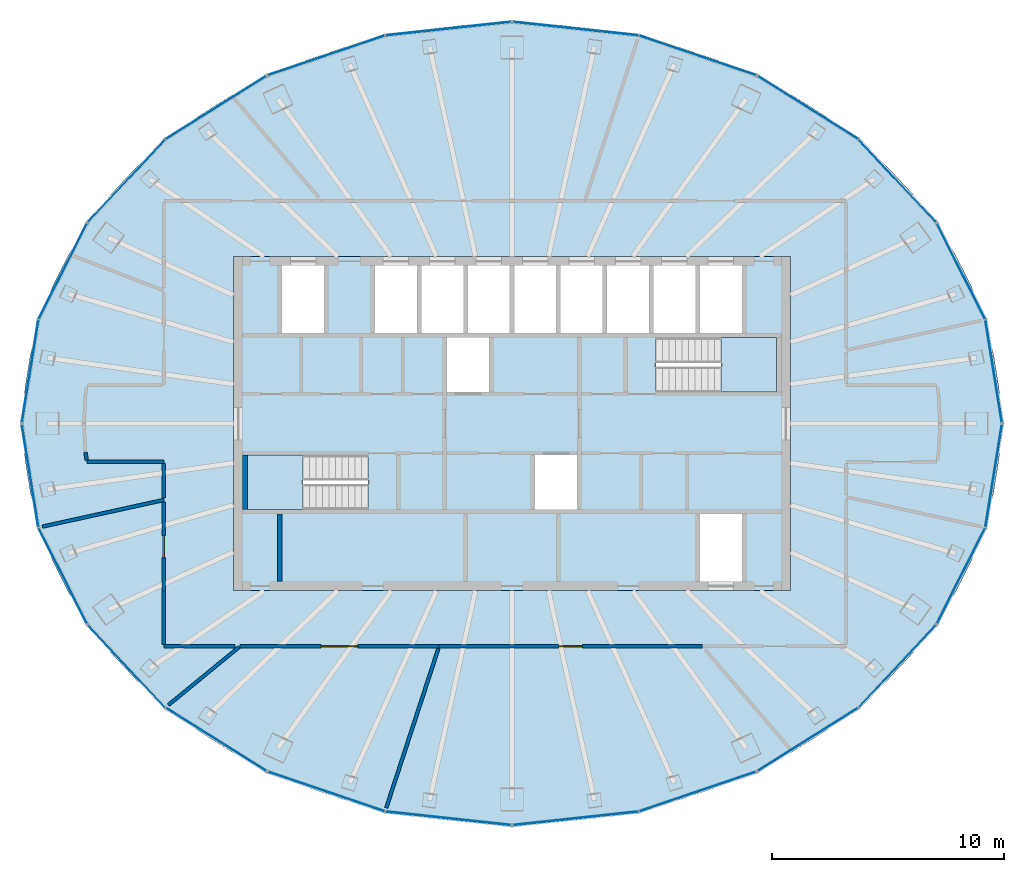
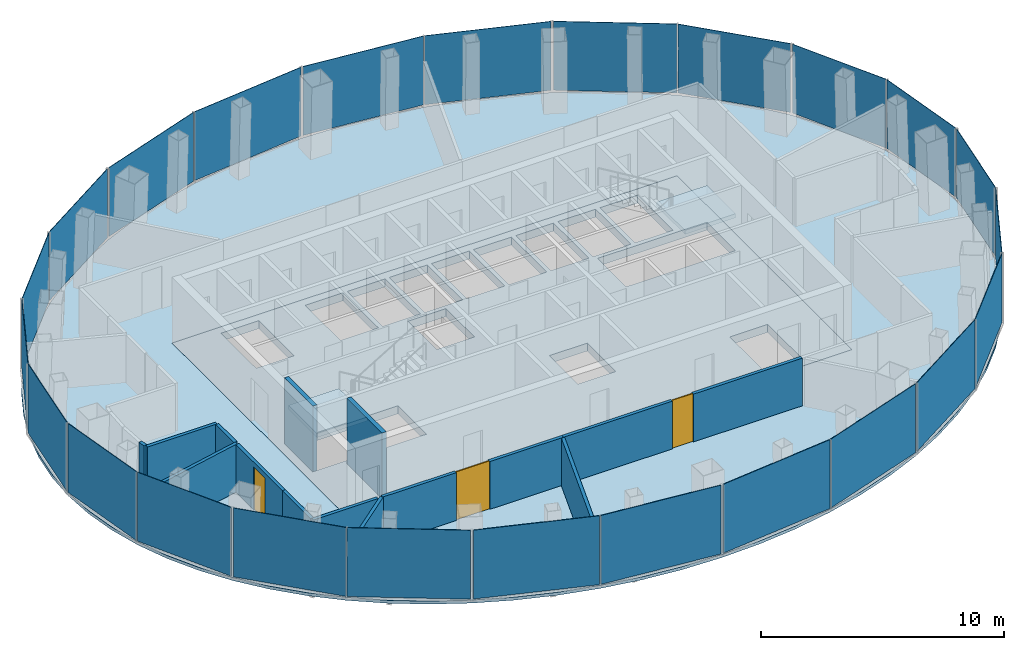
# One storey, part 7 of 11: 24 plates, 13 walls, 4 slabs, 3 doors, 3 openings, 14 elements without a shape of their own.
"""IFC4 building model written with IfcOpenShell, lengths in metres."""

from ifc_helpers import new_model, si_unit, direction, frame, frame_2d, origin, origin_2d, place, context, subcontext, project, spatial, polyline, rectangle, outline, extrude, material, layer, layer_set, type_object, element, fill, aggregate, save


model = new_model("IFC4")

# Units and contexts
model_context = context("Model", 3, precision=1e-05, world=origin(), true_north=direction((0.0, 1.0)))
body_context = subcontext(model_context, "Body", "Model", "MODEL_VIEW")
ifc_project = project(units=[si_unit("LENGTHUNIT", "METRE"), si_unit("AREAUNIT", "SQUARE_METRE"), si_unit("VOLUMEUNIT", "CUBIC_METRE"), si_unit("PLANEANGLEUNIT", "RADIAN"), si_unit("MASSUNIT", "GRAM", prefix="KILO")], contexts=[model_context])

# Site, building, storey
site_placement = place(None, origin())
site = spatial("IfcSite", under=ifc_project, at=site_placement, CompositionType="ELEMENT")
building_placement = place(site_placement, origin())
building = spatial("IfcBuilding", under=site, at=building_placement, Name="Siaravel Broadcast Tower", CompositionType="ELEMENT")
storey_placement = place(building_placement, frame((0.0, 0.0, 243.0)))
storey = spatial("IfcBuildingStorey", under=building, at=storey_placement, Name="L59", CompositionType="ELEMENT", Elevation=243.0)

# Curtain wall, plates
ifc_material_1 = material(Name="Aluminium 6063-T6", Category="aluminium")
ifc_layer_1 = layer(ifc_material_1, 0.159912109375)
ifc_layer_set_1 = layer_set([ifc_layer_1], Name="Aluminium 6063-T6")
curtain_wall_type = type_object("IfcCurtainWallType", Name="Unitised curtain wall, zone 4", PredefinedType="NOTDEFINED", material=ifc_layer_set_1)
curtain_wall_1_placement = place(storey_placement, origin())
curtain_wall_1 = element("IfcCurtainWall", 1, at=curtain_wall_1_placement, inside=storey, type_object=curtain_wall_type, Name="L59 Unitised curtain wall, zone 4 01", PredefinedType="NOTDEFINED")
ifc_material_2 = material(Name="Tinted insulated glass", Category="glass")
ifc_layer_2 = layer(ifc_material_2, 0.02587890625)
ifc_layer_set_2 = layer_set([ifc_layer_2], Name="Tinted insulated glass")
plate_type = type_object("IfcPlateType", Name="CW-Z4 glass panel", PredefinedType="CURTAIN_PANEL", material=ifc_layer_set_2)
plate_1_placement = place(storey_placement, frame((20.75537109375, 2.254638671875, 0.090087890625), z_axis=(0.0, 0.0, 1.0), x_axis=(-0.158684735, 0.987329304, 0.0)))
plate_1 = element("IfcPlate", 2, at=plate_1_placement, type_object=plate_type, Name="CW-Z4 glass panel", PredefinedType="CURTAIN_PANEL", context=body_context, shape_type="SweptSolid", body=[
    extrude(rectangle(XDim=4.45703125, YDim=0.02587890625, at=origin_2d()), origin(), (0.0, 0.0, 1.0), 3.4599609375),
])
plate_2_placement = place(storey_placement, frame((19.347900390625, 6.557373046875, 0.090087890625), z_axis=(0.0, 0.0, 1.0), x_axis=(-0.451259268, 0.892392891, 0.0)))
plate_2 = element("IfcPlate", 3, at=plate_2_placement, type_object=plate_type, Name="CW-Z4 glass panel", PredefinedType="CURTAIN_PANEL", context=body_context, shape_type="SweptSolid", body=[
    extrude(rectangle(XDim=4.59619140625, YDim=0.02587890625, at=origin_2d()), origin(), (0.0, 0.0, 1.0), 3.4599609375),
])
aggregate(curtain_wall_1, [plate_1, plate_2])

curtain_wall_2_placement = place(storey_placement, origin())
curtain_wall_2 = element("IfcCurtainWall", 4, at=curtain_wall_2_placement, inside=storey, type_object=curtain_wall_type, Name="L59 Unitised curtain wall, zone 4 02", PredefinedType="NOTDEFINED")
plate_3_placement = place(storey_placement, frame((16.59814453125, 10.459228515625, 0.090087890625), z_axis=(0.0, 0.0, 1.0), x_axis=(-0.683653738, 0.729806527, 0.0)))
plate_3 = element("IfcPlate", 5, at=plate_3_placement, type_object=plate_type, Name="CW-Z4 glass panel", PredefinedType="CURTAIN_PANEL", context=body_context, shape_type="SweptSolid", body=[
    extrude(rectangle(XDim=4.828125, YDim=0.02587890625, at=origin_2d()), origin(), (0.0, 0.0, 1.0), 3.4599609375),
])
plate_4_placement = place(storey_placement, frame((12.753662109375, 13.6083984375, 0.090087890625), z_axis=(0.0, 0.0, 1.0), x_axis=(-0.846649801, 0.532150463, 0.0)))
plate_4 = element("IfcPlate", 6, at=plate_4_placement, type_object=plate_type, Name="CW-Z4 glass panel", PredefinedType="CURTAIN_PANEL", context=body_context, shape_type="SweptSolid", body=[
    extrude(rectangle(XDim=5.083251953125, YDim=0.02587890625, at=origin_2d()), origin(), (0.0, 0.0, 1.0), 3.4599609375),
])
aggregate(curtain_wall_2, [plate_3, plate_4])

curtain_wall_3_placement = place(storey_placement, origin())
curtain_wall_3 = element("IfcCurtainWall", 7, at=curtain_wall_3_placement, inside=storey, type_object=curtain_wall_type, Name="L59 Unitised curtain wall, zone 4 03", PredefinedType="NOTDEFINED")
plate_5_placement = place(storey_placement, frame((7.996337890625, 15.8583984375, 0.090087890625), z_axis=(0.0, 0.0, 1.0), x_axis=(-0.946976963, 0.321301466, 0.0)))
plate_5 = element("IfcPlate", 8, at=plate_5_placement, type_object=plate_type, Name="CW-Z4 glass panel", PredefinedType="CURTAIN_PANEL", context=body_context, shape_type="SweptSolid", body=[
    extrude(rectangle(XDim=5.29443359375, YDim=0.02587890625, at=origin_2d()), origin(), (0.0, 0.0, 1.0), 3.4599609375),
])
plate_6_placement = place(storey_placement, frame((2.745361328125, 17.0107421875, 0.090087890625), z_axis=(0.0, 0.0, 1.0), x_axis=(-0.994235559, 0.107217782, 0.0)))
plate_6 = element("IfcPlate", 9, at=plate_6_placement, type_object=plate_type, Name="CW-Z4 glass panel", PredefinedType="CURTAIN_PANEL", context=body_context, shape_type="SweptSolid", body=[
    extrude(rectangle(XDim=5.41259765625, YDim=0.02587890625, at=origin_2d()), origin(), (0.0, 0.0, 1.0), 3.4599609375),
])
aggregate(curtain_wall_3, [plate_5, plate_6])

curtain_wall_4_placement = place(storey_placement, origin())
curtain_wall_4 = element("IfcCurtainWall", 10, at=curtain_wall_4_placement, inside=storey, type_object=curtain_wall_type, Name="L59 Unitised curtain wall, zone 4 04", PredefinedType="NOTDEFINED")
plate_7_placement = place(storey_placement, frame((-2.745361328125, 17.0107421875, 0.090087890625), z_axis=(0.0, 0.0, 1.0), x_axis=(-0.994235559, -0.107217782, 0.0)))
plate_7 = element("IfcPlate", 11, at=plate_7_placement, type_object=plate_type, Name="CW-Z4 glass panel", PredefinedType="CURTAIN_PANEL", context=body_context, shape_type="SweptSolid", body=[
    extrude(rectangle(XDim=5.41259765625, YDim=0.02587890625, at=origin_2d()), origin(), (0.0, 0.0, 1.0), 3.4599609375),
])
plate_8_placement = place(storey_placement, frame((-7.996337890625, 15.8583984375, 0.090087890625), z_axis=(0.0, 0.0, 1.0), x_axis=(-0.946976963, -0.321301466, 0.0)))
plate_8 = element("IfcPlate", 12, at=plate_8_placement, type_object=plate_type, Name="CW-Z4 glass panel", PredefinedType="CURTAIN_PANEL", context=body_context, shape_type="SweptSolid", body=[
    extrude(rectangle(XDim=5.29443359375, YDim=0.02587890625, at=origin_2d()), origin(), (0.0, 0.0, 1.0), 3.4599609375),
])
aggregate(curtain_wall_4, [plate_7, plate_8])

curtain_wall_5_placement = place(storey_placement, origin())
curtain_wall_5 = element("IfcCurtainWall", 13, at=curtain_wall_5_placement, inside=storey, type_object=curtain_wall_type, Name="L59 Unitised curtain wall, zone 4 05", PredefinedType="NOTDEFINED")
plate_9_placement = place(storey_placement, frame((-12.753662109375, 13.6083984375, 0.090087890625), z_axis=(0.0, 0.0, 1.0), x_axis=(-0.846649801, -0.532150463, 0.0)))
plate_9 = element("IfcPlate", 14, at=plate_9_placement, type_object=plate_type, Name="CW-Z4 glass panel", PredefinedType="CURTAIN_PANEL", context=body_context, shape_type="SweptSolid", body=[
    extrude(rectangle(XDim=5.083251953125, YDim=0.02587890625, at=origin_2d()), origin(), (0.0, 0.0, 1.0), 3.4599609375),
])
plate_10_placement = place(storey_placement, frame((-16.59814453125, 10.459228515625, 0.090087890625), z_axis=(0.0, 0.0, 1.0), x_axis=(-0.683653738, -0.729806527, 0.0)))
plate_10 = element("IfcPlate", 15, at=plate_10_placement, type_object=plate_type, Name="CW-Z4 glass panel", PredefinedType="CURTAIN_PANEL", context=body_context, shape_type="SweptSolid", body=[
    extrude(rectangle(XDim=4.828125, YDim=0.02587890625, at=origin_2d()), origin(), (0.0, 0.0, 1.0), 3.4599609375),
])
aggregate(curtain_wall_5, [plate_9, plate_10])

curtain_wall_6_placement = place(storey_placement, origin())
curtain_wall_6 = element("IfcCurtainWall", 16, at=curtain_wall_6_placement, inside=storey, type_object=curtain_wall_type, Name="L59 Unitised curtain wall, zone 4 06", PredefinedType="NOTDEFINED")
plate_11_placement = place(storey_placement, frame((-19.347900390625, 6.557373046875, 0.090087890625), z_axis=(0.0, 0.0, 1.0), x_axis=(-0.451259268, -0.892392891, 0.0)))
plate_11 = element("IfcPlate", 17, at=plate_11_placement, type_object=plate_type, Name="CW-Z4 glass panel", PredefinedType="CURTAIN_PANEL", context=body_context, shape_type="SweptSolid", body=[
    extrude(rectangle(XDim=4.59619140625, YDim=0.02587890625, at=origin_2d()), origin(), (0.0, 0.0, 1.0), 3.4599609375),
])
plate_12_placement = place(storey_placement, frame((-20.75537109375, 2.254638671875, 0.090087890625), z_axis=(0.0, 0.0, 1.0), x_axis=(-0.158684735, -0.987329304, 0.0)))
plate_12 = element("IfcPlate", 18, at=plate_12_placement, type_object=plate_type, Name="CW-Z4 glass panel", PredefinedType="CURTAIN_PANEL", context=body_context, shape_type="SweptSolid", body=[
    extrude(rectangle(XDim=4.45703125, YDim=0.02587890625, at=origin_2d()), origin(), (0.0, 0.0, 1.0), 3.4599609375),
])
aggregate(curtain_wall_6, [plate_11, plate_12])

curtain_wall_7_placement = place(storey_placement, origin())
curtain_wall_7 = element("IfcCurtainWall", 19, at=curtain_wall_7_placement, inside=storey, type_object=curtain_wall_type, Name="L59 Unitised curtain wall, zone 4 07", PredefinedType="NOTDEFINED")
plate_13_placement = place(storey_placement, frame((-20.75537109375, -2.254638671875, 0.090087890625), z_axis=(0.0, 0.0, 1.0), x_axis=(0.158684735, -0.987329304, 0.0)))
plate_13 = element("IfcPlate", 20, at=plate_13_placement, type_object=plate_type, Name="CW-Z4 glass panel", PredefinedType="CURTAIN_PANEL", context=body_context, shape_type="SweptSolid", body=[
    extrude(rectangle(XDim=4.45703125, YDim=0.02587890625, at=origin_2d()), origin(), (0.0, 0.0, 1.0), 3.4599609375),
])
plate_14_placement = place(storey_placement, frame((-19.347900390625, -6.557373046875, 0.090087890625), z_axis=(0.0, 0.0, 1.0), x_axis=(0.451259268, -0.892392891, 0.0)))
plate_14 = element("IfcPlate", 21, at=plate_14_placement, type_object=plate_type, Name="CW-Z4 glass panel", PredefinedType="CURTAIN_PANEL", context=body_context, shape_type="SweptSolid", body=[
    extrude(rectangle(XDim=4.59619140625, YDim=0.02587890625, at=origin_2d()), origin(), (0.0, 0.0, 1.0), 3.4599609375),
])
aggregate(curtain_wall_7, [plate_13, plate_14])

curtain_wall_8_placement = place(storey_placement, origin())
curtain_wall_8 = element("IfcCurtainWall", 22, at=curtain_wall_8_placement, inside=storey, type_object=curtain_wall_type, Name="L59 Unitised curtain wall, zone 4 08", PredefinedType="NOTDEFINED")
plate_15_placement = place(storey_placement, frame((-16.59814453125, -10.459228515625, 0.090087890625), z_axis=(0.0, 0.0, 1.0), x_axis=(0.683653738, -0.729806527, 0.0)))
plate_15 = element("IfcPlate", 23, at=plate_15_placement, type_object=plate_type, Name="CW-Z4 glass panel", PredefinedType="CURTAIN_PANEL", context=body_context, shape_type="SweptSolid", body=[
    extrude(rectangle(XDim=4.828125, YDim=0.02587890625, at=origin_2d()), origin(), (0.0, 0.0, 1.0), 3.4599609375),
])
plate_16_placement = place(storey_placement, frame((-12.753662109375, -13.6083984375, 0.090087890625), z_axis=(0.0, 0.0, 1.0), x_axis=(0.846649801, -0.532150463, 0.0)))
plate_16 = element("IfcPlate", 24, at=plate_16_placement, type_object=plate_type, Name="CW-Z4 glass panel", PredefinedType="CURTAIN_PANEL", context=body_context, shape_type="SweptSolid", body=[
    extrude(rectangle(XDim=5.083251953125, YDim=0.02587890625, at=origin_2d()), origin(), (0.0, 0.0, 1.0), 3.4599609375),
])
aggregate(curtain_wall_8, [plate_15, plate_16])

curtain_wall_9_placement = place(storey_placement, origin())
curtain_wall_9 = element("IfcCurtainWall", 25, at=curtain_wall_9_placement, inside=storey, type_object=curtain_wall_type, Name="L59 Unitised curtain wall, zone 4 09", PredefinedType="NOTDEFINED")
plate_17_placement = place(storey_placement, frame((-7.996337890625, -15.8583984375, 0.090087890625), z_axis=(0.0, 0.0, 1.0), x_axis=(0.946976963, -0.321301466, 0.0)))
plate_17 = element("IfcPlate", 26, at=plate_17_placement, type_object=plate_type, Name="CW-Z4 glass panel", PredefinedType="CURTAIN_PANEL", context=body_context, shape_type="SweptSolid", body=[
    extrude(rectangle(XDim=5.29443359375, YDim=0.02587890625, at=origin_2d()), origin(), (0.0, 0.0, 1.0), 3.4599609375),
])
plate_18_placement = place(storey_placement, frame((-2.745361328125, -17.0107421875, 0.090087890625), z_axis=(0.0, 0.0, 1.0), x_axis=(0.994235559, -0.107217782, 0.0)))
plate_18 = element("IfcPlate", 27, at=plate_18_placement, type_object=plate_type, Name="CW-Z4 glass panel", PredefinedType="CURTAIN_PANEL", context=body_context, shape_type="SweptSolid", body=[
    extrude(rectangle(XDim=5.41259765625, YDim=0.02587890625, at=origin_2d()), origin(), (0.0, 0.0, 1.0), 3.4599609375),
])
aggregate(curtain_wall_9, [plate_17, plate_18])

curtain_wall_10_placement = place(storey_placement, origin())
curtain_wall_10 = element("IfcCurtainWall", 28, at=curtain_wall_10_placement, inside=storey, type_object=curtain_wall_type, Name="L59 Unitised curtain wall, zone 4 10", PredefinedType="NOTDEFINED")
plate_19_placement = place(storey_placement, frame((2.745361328125, -17.0107421875, 0.090087890625), z_axis=(0.0, 0.0, 1.0), x_axis=(0.994235559, 0.107217782, 0.0)))
plate_19 = element("IfcPlate", 29, at=plate_19_placement, type_object=plate_type, Name="CW-Z4 glass panel", PredefinedType="CURTAIN_PANEL", context=body_context, shape_type="SweptSolid", body=[
    extrude(rectangle(XDim=5.41259765625, YDim=0.02587890625, at=origin_2d()), origin(), (0.0, 0.0, 1.0), 3.4599609375),
])
plate_20_placement = place(storey_placement, frame((7.996337890625, -15.8583984375, 0.090087890625), z_axis=(0.0, 0.0, 1.0), x_axis=(0.946976963, 0.321301466, 0.0)))
plate_20 = element("IfcPlate", 30, at=plate_20_placement, type_object=plate_type, Name="CW-Z4 glass panel", PredefinedType="CURTAIN_PANEL", context=body_context, shape_type="SweptSolid", body=[
    extrude(rectangle(XDim=5.29443359375, YDim=0.02587890625, at=origin_2d()), origin(), (0.0, 0.0, 1.0), 3.4599609375),
])
aggregate(curtain_wall_10, [plate_19, plate_20])

curtain_wall_11_placement = place(storey_placement, origin())
curtain_wall_11 = element("IfcCurtainWall", 31, at=curtain_wall_11_placement, inside=storey, type_object=curtain_wall_type, Name="L59 Unitised curtain wall, zone 4 11", PredefinedType="NOTDEFINED")
plate_21_placement = place(storey_placement, frame((12.753662109375, -13.6083984375, 0.090087890625), z_axis=(0.0, 0.0, 1.0), x_axis=(0.846649801, 0.532150463, 0.0)))
plate_21 = element("IfcPlate", 32, at=plate_21_placement, type_object=plate_type, Name="CW-Z4 glass panel", PredefinedType="CURTAIN_PANEL", context=body_context, shape_type="SweptSolid", body=[
    extrude(rectangle(XDim=5.083251953125, YDim=0.02587890625, at=origin_2d()), origin(), (0.0, 0.0, 1.0), 3.4599609375),
])
plate_22_placement = place(storey_placement, frame((16.59814453125, -10.459228515625, 0.090087890625), z_axis=(0.0, 0.0, 1.0), x_axis=(0.683653738, 0.729806527, 0.0)))
plate_22 = element("IfcPlate", 33, at=plate_22_placement, type_object=plate_type, Name="CW-Z4 glass panel", PredefinedType="CURTAIN_PANEL", context=body_context, shape_type="SweptSolid", body=[
    extrude(rectangle(XDim=4.828125, YDim=0.02587890625, at=origin_2d()), origin(), (0.0, 0.0, 1.0), 3.4599609375),
])
aggregate(curtain_wall_11, [plate_21, plate_22])

curtain_wall_12_placement = place(storey_placement, origin())
curtain_wall_12 = element("IfcCurtainWall", 34, at=curtain_wall_12_placement, inside=storey, type_object=curtain_wall_type, Name="L59 Unitised curtain wall, zone 4 12", PredefinedType="NOTDEFINED")
plate_23_placement = place(storey_placement, frame((19.347900390625, -6.557373046875, 0.090087890625), z_axis=(0.0, 0.0, 1.0), x_axis=(0.451259268, 0.892392891, 0.0)))
plate_23 = element("IfcPlate", 35, at=plate_23_placement, type_object=plate_type, Name="CW-Z4 glass panel", PredefinedType="CURTAIN_PANEL", context=body_context, shape_type="SweptSolid", body=[
    extrude(rectangle(XDim=4.59619140625, YDim=0.02587890625, at=origin_2d()), origin(), (0.0, 0.0, 1.0), 3.4599609375),
])
plate_24_placement = place(storey_placement, frame((20.75537109375, -2.254638671875, 0.090087890625), z_axis=(0.0, 0.0, 1.0), x_axis=(0.158684735, 0.987329304, 0.0)))
plate_24 = element("IfcPlate", 36, at=plate_24_placement, type_object=plate_type, Name="CW-Z4 glass panel", PredefinedType="CURTAIN_PANEL", context=body_context, shape_type="SweptSolid", body=[
    extrude(rectangle(XDim=4.45703125, YDim=0.02587890625, at=origin_2d()), origin(), (0.0, 0.0, 1.0), 3.4599609375),
])
aggregate(curtain_wall_12, [plate_23, plate_24])

# Slabs
ifc_material_3 = material(Name="Concrete C40/50", Category="concrete")
ifc_layer_3 = layer(ifc_material_3, 0.39990234375)
ifc_layer_set_3 = layer_set([ifc_layer_3], Name="Concrete C40/50")
slab_type_1 = type_object("IfcSlabType", Name="Core floor slab 400", PredefinedType="FLOOR", material=ifc_layer_set_3)
slab_1_placement = place(storey_placement, frame((0.0, 0.0, -0.39990234375)))
element("IfcSlab", 37, at=slab_1_placement, inside=storey, type_object=slab_type_1, Name="L59 core floor", PredefinedType="FLOOR", context=body_context, shape_type="SweptSolid", body=[
    extrude(outline(polyline([(-12.0, -7.199951171875), (-12.0, 7.199951171875), (12.0, 7.199951171875), (12.0, -7.199951171875), (-12.0, -7.199951171875)]), holes=[polyline([(11.3994140625, 1.3505859375), (11.3994140625, 3.699462890625), (6.200439453125, 3.699462890625), (6.200439453125, 1.3505859375), (11.3994140625, 1.3505859375)]), polyline([(8.10009765625, -3.89990234375), (8.10009765625, -6.800048828125), (9.89990234375, -6.800048828125), (9.89990234375, -3.89990234375), (8.10009765625, -3.89990234375)]), polyline([(9.89990234375, 6.800048828125), (8.10009765625, 6.800048828125), (8.10009765625, 3.89990234375), (9.89990234375, 3.89990234375), (9.89990234375, 6.800048828125)]), polyline([(7.89990234375, 6.800048828125), (6.10009765625, 6.800048828125), (6.10009765625, 3.89990234375), (7.89990234375, 3.89990234375), (7.89990234375, 6.800048828125)]), polyline([(5.89990234375, 6.800048828125), (4.10009765625, 6.800048828125), (4.10009765625, 3.89990234375), (5.89990234375, 3.89990234375), (5.89990234375, 6.800048828125)]), polyline([(3.89990234375, 6.800048828125), (2.10009765625, 6.800048828125), (2.10009765625, 3.89990234375), (3.89990234375, 3.89990234375), (3.89990234375, 6.800048828125)]), polyline([(2.800048828125, -1.35009765625), (1.0, -1.35009765625), (1.0, -3.699951171875), (2.800048828125, -3.699951171875), (2.800048828125, -1.35009765625)]), polyline([(1.89990234375, 6.800048828125), (0.10009765625, 6.800048828125), (0.10009765625, 3.89990234375), (1.89990234375, 3.89990234375), (1.89990234375, 6.800048828125)]), polyline([(-0.10009765625, 6.800048828125), (-1.89990234375, 6.800048828125), (-1.89990234375, 3.89990234375), (-0.10009765625, 3.89990234375), (-0.10009765625, 6.800048828125)]), polyline([(-1.0, 3.699951171875), (-2.800048828125, 3.699951171875), (-2.800048828125, 1.35009765625), (-1.0, 1.35009765625), (-1.0, 3.699951171875)]), polyline([(-2.10009765625, 6.800048828125), (-3.89990234375, 6.800048828125), (-3.89990234375, 3.89990234375), (-2.10009765625, 3.89990234375), (-2.10009765625, 6.800048828125)]), polyline([(-4.10009765625, 6.800048828125), (-5.89990234375, 6.800048828125), (-5.89990234375, 3.89990234375), (-4.10009765625, 3.89990234375), (-4.10009765625, 6.800048828125)]), polyline([(-11.3994140625, -3.699462890625), (-6.200439453125, -3.699462890625), (-6.200439453125, -1.3505859375), (-11.3994140625, -1.3505859375), (-11.3994140625, -3.699462890625)]), polyline([(-8.10009765625, 6.800048828125), (-9.89990234375, 6.800048828125), (-9.89990234375, 3.89990234375), (-8.10009765625, 3.89990234375), (-8.10009765625, 6.800048828125)])]), origin(), (0.0, 0.0, 1.0), 0.39990234375),
])
ifc_layer_4 = layer(ifc_material_3, 0.14990234375)
ifc_layer_set_4 = layer_set([ifc_layer_4], Name="Concrete C40/50")
slab_type_2 = type_object("IfcSlabType", Name="SLB-FLOOR-150", PredefinedType="FLOOR", material=ifc_layer_set_4)
slab_2_placement = place(storey_placement, frame((0.0, 0.0, -0.14990234375)))
element("IfcSlab", 38, at=slab_2_placement, inside=storey, type_object=slab_type_2, Name="Floor slab", PredefinedType="FLOOR", context=body_context, shape_type="SweptSolid", body=[
    extrude(outline(polyline([(21.06787109375, 0.0), (20.987548828125, 1.50390625), (20.747802734375, 2.99658203125), (20.349853515625, 4.46630859375), (19.79736328125, 5.902099609375), (19.093994140625, 7.293212890625), (18.245361328125, 8.62841796875), (17.2578125, 9.898193359375), (16.138916015625, 11.092529296875), (14.897216796875, 12.202392578125), (13.5419921875, 13.219482421875), (12.083984375, 14.135986328125), (10.533935546875, 14.94482421875), (8.903564453125, 15.64013671875), (7.20556640625, 16.21630859375), (5.45263671875, 16.6689453125), (3.658447265625, 16.99462890625), (1.836181640625, 17.191162109375), (0.0, 17.2568359375), (-1.836181640625, 17.191162109375), (-3.658447265625, 16.99462890625), (-5.45263671875, 16.6689453125), (-7.20556640625, 16.21630859375), (-8.903564453125, 15.64013671875), (-10.533935546875, 14.94482421875), (-12.083984375, 14.135986328125), (-13.5419921875, 13.219482421875), (-14.897216796875, 12.202392578125), (-16.138916015625, 11.092529296875), (-17.2578125, 9.898193359375), (-18.245361328125, 8.62841796875), (-19.093994140625, 7.293212890625), (-19.79736328125, 5.902099609375), (-20.349853515625, 4.46630859375), (-20.747802734375, 2.99658203125), (-20.987548828125, 1.50390625), (-21.06787109375, 0.0), (-20.987548828125, -1.50390625), (-20.747802734375, -2.99658203125), (-20.349853515625, -4.46630859375), (-19.79736328125, -5.902099609375), (-19.093994140625, -7.293212890625), (-18.245361328125, -8.62841796875), (-17.2578125, -9.898193359375), (-16.138916015625, -11.092529296875), (-14.897216796875, -12.202392578125), (-13.5419921875, -13.219482421875), (-12.083984375, -14.135986328125), (-10.533935546875, -14.94482421875), (-8.903564453125, -15.64013671875), (-7.20556640625, -16.21630859375), (-5.45263671875, -16.6689453125), (-3.658447265625, -16.99462890625), (-1.836181640625, -17.191162109375), (0.0, -17.2568359375), (1.836181640625, -17.191162109375), (3.658447265625, -16.99462890625), (5.45263671875, -16.6689453125), (7.20556640625, -16.21630859375), (8.903564453125, -15.64013671875), (10.533935546875, -14.94482421875), (12.083984375, -14.135986328125), (13.5419921875, -13.219482421875), (14.897216796875, -12.202392578125), (16.138916015625, -11.092529296875), (17.2578125, -9.898193359375), (18.245361328125, -8.62841796875), (19.093994140625, -7.293212890625), (19.79736328125, -5.902099609375), (20.349853515625, -4.46630859375), (20.747802734375, -2.99658203125), (20.987548828125, -1.50390625), (21.06787109375, 0.0)]), holes=[polyline([(-12.0, 7.199951171875), (12.0, 7.199951171875), (12.0, -7.199951171875), (-12.0, -7.199951171875), (-12.0, 7.199951171875)])]), origin(), (0.0, 0.0, 1.0), 0.14990234375),
])

# Stair, slab
stair_type = type_object("IfcStairType", Name="Core exit stair", PredefinedType="HALF_TURN_STAIR", material=ifc_material_3)
stair_1_placement = place(storey_placement, origin())
stair_1 = element("IfcStair", 39, at=stair_1_placement, inside=storey, type_object=stair_type, Name="L59 Exit stair ST-1", PredefinedType="HALF_TURN_STAIR")
ifc_layer_5 = layer(ifc_material_3, 0.199951171875)
ifc_layer_set_5 = layer_set([ifc_layer_5], Name="Concrete C40/50")
slab_type_3 = type_object("IfcSlabType", Name="Stair landing", PredefinedType="LANDING", material=ifc_layer_set_5)
slab_3_placement = place(storey_placement, frame((0.0, 0.0, 1.64990234375)))
slab_3 = element("IfcSlab", 40, at=slab_3_placement, type_object=slab_type_3, Name="ST-1 landing 1", PredefinedType="LANDING", context=body_context, shape_type="SweptSolid", body=[
    extrude(outline(polyline([(-9.0, -1.35009765625), (-11.39990234375, -1.35009765625), (-11.39990234375, -3.699951171875), (-9.0, -3.699951171875), (-9.0, -1.35009765625)])), origin(), (0.0, 0.0, 1.0), 0.2001953125),
])
aggregate(stair_1, [slab_3])

stair_2_placement = place(storey_placement, origin())
stair_2 = element("IfcStair", 41, at=stair_2_placement, inside=storey, type_object=stair_type, Name="L59 Exit stair ST-2", PredefinedType="HALF_TURN_STAIR")
slab_4_placement = place(storey_placement, frame((0.0, 0.0, 1.64990234375)))
slab_4 = element("IfcSlab", 42, at=slab_4_placement, type_object=slab_type_3, Name="ST-2 landing 1", PredefinedType="LANDING", context=body_context, shape_type="SweptSolid", body=[
    extrude(outline(polyline([(9.0, 1.35009765625), (11.39990234375, 1.35009765625), (11.39990234375, 3.699951171875), (9.0, 3.699951171875), (9.0, 1.35009765625)])), origin(), (0.0, 0.0, 1.0), 0.2001953125),
])
aggregate(stair_2, [slab_4])

# Wall, opening, door
ifc_material_4 = material(Name="Gypsum board partition", Category="gypsum")
ifc_layer_6 = layer(ifc_material_4, 0.14990234375)
ifc_layer_set_6 = layer_set([ifc_layer_6], Name="Gypsum board partition")
wall_type_1 = type_object("IfcWallType", Name="Corridor wall 150", PredefinedType="PARTITIONING", material=ifc_layer_set_6)
wall_1_placement = place(storey_placement, frame((-3.140380859375, -9.60009765625, 0.0), z_axis=(0.0, 0.0, 1.0), x_axis=(1.0, 0.0, 0.0)))
wall_1 = element("IfcWall", 43, at=wall_1_placement, inside=storey, type_object=wall_type_1, Name="L59 partition 1", PredefinedType="PARTITIONING", context=body_context, shape_type="SweptSolid", body=[
    extrude(rectangle(XDim=11.346923828125, YDim=0.14990234375, at=frame_2d((5.67333984375, 0.0))), origin(), (0.0, 0.0, 1.0), 2.39990234375),
])
opening_1_placement = place(wall_1_placement, frame((5.17333984375, 0.0, 0.0)))
opening_1 = element("IfcOpeningElement", 44, at=opening_1_placement, cuts=wall_1, Name="Opening L59-004", PredefinedType="OPENING", context=body_context, shape_type="SweptSolid", body=[
    extrude(rectangle(XDim=1.0, YDim=2.39990234375, at=frame_2d((0.5, 1.199951171875))), frame((0.0, 0.0849609375, 0.0), z_axis=(0.0, -1.0, 0.0), x_axis=(1.0, 0.0, 0.0)), (0.0, 0.0, 1.0), 0.169921875),
])
ifc_material_5 = material(Name="Timber veneer", Category="wood")
door_type_1 = type_object("IfcDoorType", Name="Executive office door 1000", OperationType="SINGLE_SWING_LEFT", PredefinedType="DOOR", material=ifc_material_5)
door_1_placement = place(opening_1_placement, origin())
door_1 = element("IfcDoor", 45, at=door_1_placement, inside=storey, type_object=door_type_1, Name="L59 door to Executive office", OperationType="SINGLE_SWING_RIGHT", OverallHeight=2.39990234375, OverallWidth=1.0, PredefinedType="DOOR", context=body_context, shape_type="SweptSolid", body=[
    extrude(rectangle(XDim=1.0, YDim=2.39990234375, at=frame_2d((0.5, 1.199951171875))), frame((0.0, 0.02490234375, 0.0), z_axis=(0.0, -1.0, 0.0), x_axis=(1.0, 0.0, 0.0)), (0.0, 0.0, 1.0), 0.050048828125),
])
fill(opening_1, door_1)

wall_2_placement = place(storey_placement, frame((-11.719970703125, -9.60009765625, 0.0), z_axis=(0.0, 0.0, 1.0), x_axis=(1.0, 0.0, 0.0)))
wall_2 = element("IfcWall", 46, at=wall_2_placement, inside=storey, type_object=wall_type_1, Name="L59 partition 4", PredefinedType="PARTITIONING", context=body_context, shape_type="SweptSolid", body=[
    extrude(rectangle(XDim=8.57861328125, YDim=0.14990234375, at=frame_2d((4.289306640625, 0.0))), origin(), (0.0, 0.0, 1.0), 2.39990234375),
])
opening_2_placement = place(wall_2_placement, frame((3.4892578125, 0.0, 0.0)))
opening_2 = element("IfcOpeningElement", 47, at=opening_2_placement, cuts=wall_2, Name="Opening L59-003", PredefinedType="OPENING", context=body_context, shape_type="SweptSolid", body=[
    extrude(rectangle(XDim=1.60009765625, YDim=2.39990234375, at=frame_2d((0.800048828125, 1.199951171875))), frame((0.0, 0.0849609375, 0.0), z_axis=(0.0, -1.0, 0.0), x_axis=(1.0, 0.0, 0.0)), (0.0, 0.0, 1.0), 0.169921875),
])
door_type_2 = type_object("IfcDoorType", Name="Restaurant double door 1600", OperationType="DOUBLE_DOOR_SINGLE_SWING", PredefinedType="DOOR", material=ifc_material_5)
door_2_placement = place(opening_2_placement, origin())
door_2 = element("IfcDoor", 48, at=door_2_placement, inside=storey, type_object=door_type_2, Name="L59 door to Lounge", OperationType="DOUBLE_DOOR_SINGLE_SWING", OverallHeight=2.39990234375, OverallWidth=1.60009765625, PredefinedType="DOOR", context=body_context, shape_type="SweptSolid", body=[
    extrude(rectangle(XDim=1.60009765625, YDim=2.39990234375, at=frame_2d((0.800048828125, 1.199951171875))), frame((0.0, 0.02490234375, 0.0), z_axis=(0.0, -1.0, 0.0), x_axis=(1.0, 0.0, 0.0)), (0.0, 0.0, 1.0), 0.050048828125),
])
fill(opening_2, door_2)

wall_3_placement = place(storey_placement, frame((-15.0, -3.387451171875, 0.0), z_axis=(0.0, 0.0, 1.0), x_axis=(0.0, -1.0, 0.0)))
wall_3 = element("IfcWall", 49, at=wall_3_placement, inside=storey, type_object=wall_type_1, Name="L59 partition 19", PredefinedType="PARTITIONING", context=body_context, shape_type="SweptSolid", body=[
    extrude(rectangle(XDim=3.824462890625, YDim=0.14990234375, at=frame_2d((1.912109375, 0.0))), origin(), (0.0, 0.0, 1.0), 2.39990234375),
])
opening_3_placement = place(wall_3_placement, frame((1.437255859375, 0.0, 0.0)))
opening_3 = element("IfcOpeningElement", 50, at=opening_3_placement, cuts=wall_3, Name="Opening L59-002", PredefinedType="OPENING", context=body_context, shape_type="SweptSolid", body=[
    extrude(rectangle(XDim=0.949951171875, YDim=2.14990234375, at=frame_2d((0.47509765625, 1.074951171875))), frame((0.0, 0.0849609375, 0.0), z_axis=(0.0, -1.0, 0.0), x_axis=(1.0, 0.0, 0.0)), (0.0, 0.0, 1.0), 0.169921875),
])
door_type_3 = type_object("IfcDoorType", Name="Office door 950", OperationType="SINGLE_SWING_LEFT", PredefinedType="DOOR", material=ifc_material_5)
door_3_placement = place(opening_3_placement, origin())
door_3 = element("IfcDoor", 51, at=door_3_placement, inside=storey, type_object=door_type_3, Name="L59 door to Reception", OperationType="SINGLE_SWING_RIGHT", OverallHeight=2.14990234375, OverallWidth=0.949951171875, PredefinedType="DOOR", context=body_context, shape_type="SweptSolid", body=[
    extrude(rectangle(XDim=0.949951171875, YDim=2.14990234375, at=frame_2d((0.47509765625, 1.074951171875))), frame((0.0, 0.02490234375, 0.0), z_axis=(0.0, -1.0, 0.0), x_axis=(1.0, 0.0, 0.0)), (0.0, 0.0, 1.0), 0.050048828125),
])
fill(opening_3, door_3)

# Walls
wall_4_placement = place(storey_placement, frame((-18.310791015625, -1.64990234375, 0.0), z_axis=(0.0, 0.0, 1.0), x_axis=(1.0, 0.0, 0.0)))
element("IfcWall", 52, at=wall_4_placement, inside=storey, type_object=wall_type_1, Name="L59 partition 22", PredefinedType="PARTITIONING", context=body_context, shape_type="SweptSolid", body=[
    extrude(rectangle(XDim=3.310791015625, YDim=0.14990234375, at=frame_2d((1.6552734375, 0.0))), origin(), (0.0, 0.0, 1.0), 2.39990234375),
])
wall_5_placement = place(storey_placement, frame((-15.0, -9.60009765625, 0.0), z_axis=(0.0, 0.0, 1.0), x_axis=(1.0, 0.0, 0.0)))
element("IfcWall", 53, at=wall_5_placement, inside=storey, type_object=wall_type_1, Name="L59 partition 24", PredefinedType="PARTITIONING", context=body_context, shape_type="SweptSolid", body=[
    extrude(rectangle(XDim=3.068115234375, YDim=0.14990234375, at=frame_2d((1.5341796875, 0.0))), origin(), (0.0, 0.0, 1.0), 2.39990234375),
])
wall_6_placement = place(storey_placement, frame((-15.0, -7.212890625, 0.0), z_axis=(0.0, 0.0, 1.0), x_axis=(0.0, -1.0, 0.0)))
element("IfcWall", 54, at=wall_6_placement, inside=storey, type_object=wall_type_1, Name="L59 partition 25", PredefinedType="PARTITIONING", context=body_context, shape_type="SweptSolid", body=[
    extrude(rectangle(XDim=2.31005859375, YDim=0.14990234375, at=frame_2d((1.155029296875, 0.0))), origin(), (0.0, 0.0, 1.0), 2.39990234375),
])
wall_7_placement = place(storey_placement, frame((-15.0, -1.72705078125, 0.0), z_axis=(0.0, 0.0, 1.0), x_axis=(0.0, -1.0, 0.0)))
element("IfcWall", 55, at=wall_7_placement, inside=storey, type_object=wall_type_1, Name="L59 partition 29", PredefinedType="PARTITIONING", context=body_context, shape_type="SweptSolid", body=[
    extrude(rectangle(XDim=1.48974609375, YDim=0.14990234375, at=frame_2d((0.744873046875, 0.0))), origin(), (0.0, 0.0, 1.0), 2.39990234375),
])
wall_8_placement = place(storey_placement, frame((-18.377197265625, -1.235595703125, 0.0), z_axis=(0.0, 0.0, 1.0), x_axis=(0.158406053, -0.987374054, 0.0)))
element("IfcWall", 56, at=wall_8_placement, inside=storey, type_object=wall_type_1, Name="L59 partition 37", PredefinedType="PARTITIONING", context=body_context, shape_type="SweptSolid", body=[
    extrude(rectangle(XDim=0.34375, YDim=0.14990234375, at=frame_2d((0.171875, 0.0))), origin(), (0.0, 0.0, 1.0), 2.39990234375),
])
ifc_layer_7 = layer(ifc_material_4, 0.14990234375)
ifc_layer_set_7 = layer_set([ifc_layer_7], Name="Gypsum board partition")
wall_type_2 = type_object("IfcWallType", Name="Room partition 150", PredefinedType="PARTITIONING", material=ifc_layer_set_7)
wall_9_placement = place(storey_placement, frame((-5.4150390625, -16.553955078125, 0.0), z_axis=(0.0, 0.0, 1.0), x_axis=(0.31090061, 0.950442429, 0.0)))
element("IfcWall", 57, at=wall_9_placement, inside=storey, type_object=wall_type_2, Name="L59 partition 5", PredefinedType="PARTITIONING", context=body_context, shape_type="SweptSolid", body=[
    extrude(rectangle(XDim=7.211181640625, YDim=0.14990234375, at=frame_2d((3.60546875, 0.0))), origin(), (0.0, 0.0, 1.0), 2.39990234375),
])
wall_10_placement = place(storey_placement, frame((-20.2314453125, -4.4404296875, 0.0), z_axis=(0.0, 0.0, 1.0), x_axis=(0.976751095, 0.214376535, 0.0)))
element("IfcWall", 58, at=wall_10_placement, inside=storey, type_object=wall_type_2, Name="L59 partition 13", PredefinedType="PARTITIONING", context=body_context, shape_type="SweptSolid", body=[
    extrude(rectangle(XDim=5.35595703125, YDim=0.14990234375, at=frame_2d((2.677978515625, 0.0))), origin(), (0.0, 0.0, 1.0), 2.39990234375),
])
wall_11_placement = place(storey_placement, frame((-14.801513671875, -12.124267578125, 0.0), z_axis=(0.0, 0.0, 1.0), x_axis=(0.773581114, 0.633697293, 0.0)))
element("IfcWall", 59, at=wall_11_placement, inside=storey, type_object=wall_type_2, Name="L59 partition 18", PredefinedType="PARTITIONING", context=body_context, shape_type="SweptSolid", body=[
    extrude(rectangle(XDim=3.933837890625, YDim=0.14990234375, at=frame_2d((1.966796875, 0.0))), origin(), (0.0, 0.0, 1.0), 2.39990234375),
])
ifc_material_6 = material(Name="Concrete C60/75", Category="concrete")
ifc_layer_8 = layer(ifc_material_6, 0.199951171875)
ifc_layer_set_8 = layer_set([ifc_layer_8], Name="Concrete C60/75")
wall_type_3 = type_object("IfcWallType", Name="Shaft wall 200", PredefinedType="SHEAR", material=ifc_layer_set_8)
wall_12_placement = place(storey_placement, frame((-10.0, -6.800048828125, 0.0), z_axis=(0.0, 0.0, 1.0), x_axis=(0.0, 1.0, 0.0)))
element("IfcWall", 60, at=wall_12_placement, inside=storey, type_object=wall_type_3, Name="L59 core wall SWS0", PredefinedType="SHEAR", context=body_context, shape_type="SweptSolid", body=[
    extrude(rectangle(XDim=2.900146484375, YDim=0.199951171875, at=frame_2d((1.4501953125, 0.0))), origin(), (0.0, 0.0, 1.0), 3.300048828125),
])
wall_13_placement = place(storey_placement, frame((-11.5, -3.699951171875, 0.0), z_axis=(0.0, 0.0, 1.0), x_axis=(0.0, 1.0, 0.0)))
element("IfcWall", 61, at=wall_13_placement, inside=storey, type_object=wall_type_3, Name="L59 core wall ST1W", PredefinedType="SHEAR", context=body_context, shape_type="SweptSolid", body=[
    extrude(rectangle(XDim=2.349853515625, YDim=0.199951171875, at=frame_2d((1.1748046875, 0.0))), origin(), (0.0, 0.0, 1.0), 3.300048828125),
])

save(model, "model.ifc")
